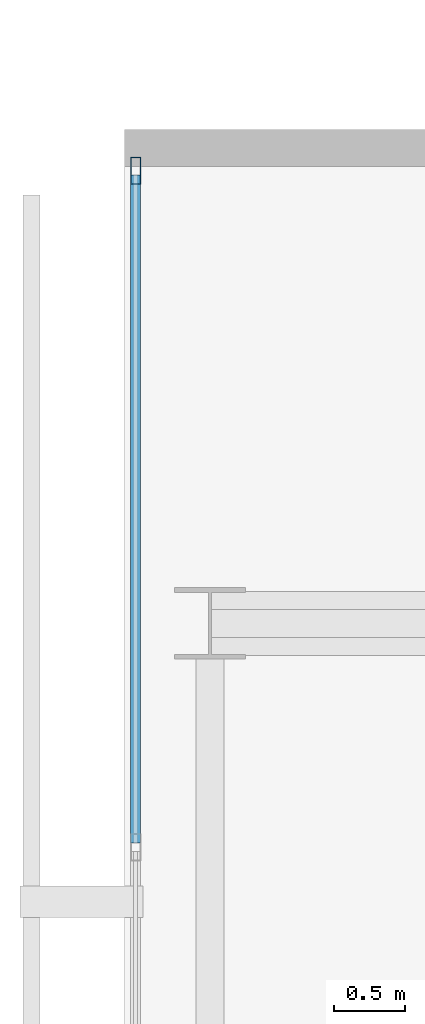
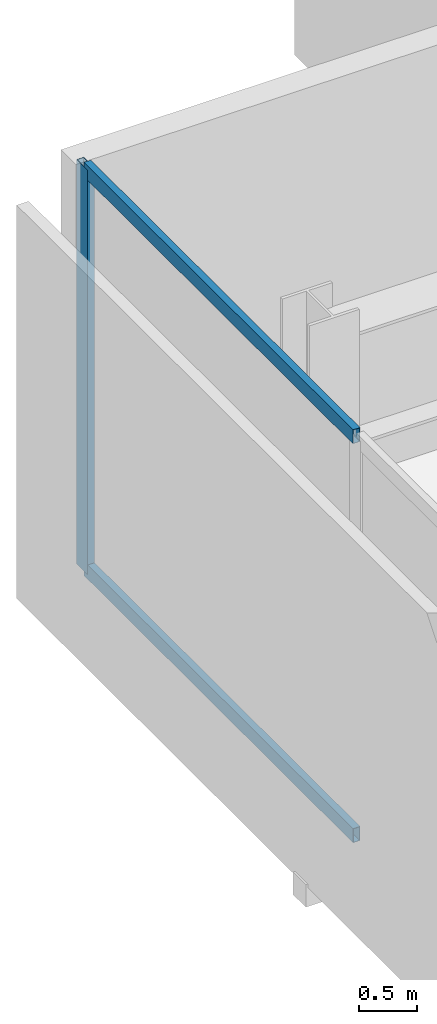
# One storey, part 14 of 23: 3 members, 1 element without a shape of its own.
"""IFC4 building model written with IfcOpenShell, lengths in metres."""

from ifc_helpers import new_model, si_unit, direction, frame, origin, origin_2d, place, context, subcontext, project, spatial, hollow_rectangle, extrude, material, layer, layer_set, material_profile, profile_set, type_object, element, aggregate, save


model = new_model("IFC4")

# Units and contexts
model_context = context("Model", 3, precision=1e-05, world=origin(), true_north=direction((0.0, 1.0)))
body_context = subcontext(model_context, "Body", "Model", "MODEL_VIEW")
ifc_project = project(units=[si_unit("LENGTHUNIT", "METRE"), si_unit("AREAUNIT", "SQUARE_METRE"), si_unit("VOLUMEUNIT", "CUBIC_METRE"), si_unit("PLANEANGLEUNIT", "RADIAN"), si_unit("MASSUNIT", "GRAM", prefix="KILO")], contexts=[model_context])

# Site, building, storey
site_placement = place(None, origin())
site = spatial("IfcSite", under=ifc_project, at=site_placement, CompositionType="ELEMENT")
building_placement = place(site_placement, origin())
building = spatial("IfcBuilding", under=site, at=building_placement, Name="Maruvema Waterfront Hotel and Observation Tower", CompositionType="ELEMENT")
storey_placement = place(building_placement, frame((0.0, 0.0, 349.64990234375)))
storey = spatial("IfcBuildingStorey", under=building, at=storey_placement, Name="L86", CompositionType="ELEMENT", Elevation=349.64990234375)

# Curtain wall, members
ifc_material_1 = material(Name="Anodised bronze aluminium and solar-control low-E IGU", Category="aluminium")
ifc_layer = layer(ifc_material_1, 0.159912109375, Name="Observation Crown Structural Glazed Curtain Wall System CW-06")
ifc_layer_set = layer_set([ifc_layer], Name="Anodised bronze aluminium and solar-control low-E IGU")
curtain_wall_type = type_object("IfcCurtainWallType", Name="Observation Crown Structural Glazed Curtain Wall System CW-06", PredefinedType="USERDEFINED", material=ifc_layer_set)
curtain_wall_placement = place(storey_placement, origin())
curtain_wall = element("IfcCurtainWall", 1, at=curtain_wall_placement, inside=storey, type_object=curtain_wall_type, Name="L86 Curtain Wall CW-L86-W", ObjectType="UNITISED CURTAIN WALL", PredefinedType="USERDEFINED")
ifc_material_2 = material(Name="Anodised architectural bronze aluminium", Category="aluminium")
ifc_material_profile_1 = material_profile(ifc_material_2, hollow_rectangle(XDim=0.070068359375, YDim=0.14990234375, WallThickness=0.00390625, at=origin_2d()), Name="ALU-T70x150")
ifc_profile_set_1 = profile_set([ifc_material_profile_1], Name="Anodised architectural bronze aluminium")
member_type_1 = type_object("IfcMemberType", Name="Curtain Wall Horizontal Transom ALU-T70x150", PredefinedType="USERDEFINED", material=ifc_profile_set_1)
member_1_placement = place(storey_placement, frame((17.780029296875, 48.139892578125, 0.030029296875), z_axis=(0.0, -1.0, 0.0), x_axis=(1.0, 0.0, 0.0)))
member_1 = element("IfcMember", 2, at=member_1_placement, type_object=member_type_1, Name="CW-06 transom 1.1", ObjectType="TRANSOM", PredefinedType="USERDEFINED", context=body_context, shape_type="SweptSolid", body=[
    extrude(hollow_rectangle(XDim=0.070068359375, YDim=0.14990234375, WallThickness=0.00390625, at=origin_2d()), origin(), (0.0, 0.0, 1.0), 4.676513671875),
])
member_2_placement = place(storey_placement, frame((17.780029296875, 48.139892578125, 4.260009765625), z_axis=(0.0, -1.0, 0.0), x_axis=(1.0, 0.0, 0.0)))
member_2 = element("IfcMember", 3, at=member_2_placement, type_object=member_type_1, Name="CW-06 transom 1.2", ObjectType="TRANSOM", PredefinedType="USERDEFINED", context=body_context, shape_type="SweptSolid", body=[
    extrude(hollow_rectangle(XDim=0.070068359375, YDim=0.14990234375, WallThickness=0.00390625, at=origin_2d()), origin(), (0.0, 0.0, 1.0), 4.676513671875),
])
ifc_material_3 = material(Name="Anodised architectural bronze aluminium", Category="aluminium")
ifc_material_profile_2 = material_profile(ifc_material_3, hollow_rectangle(XDim=0.070068359375, YDim=0.18994140625, WallThickness=0.00390625, at=origin_2d()), Name="ALU-M70x190")
ifc_profile_set_2 = profile_set([ifc_material_profile_2], Name="Anodised architectural bronze aluminium")
member_type_2 = type_object("IfcMemberType", Name="Podium Storefront Heavy Mullion ALU-M70x190", PredefinedType="MULLION", material=ifc_profile_set_2)
member_3_placement = place(storey_placement, frame((17.780029296875, 48.169921875, 0.0), z_axis=(0.0, 0.0, 1.0), x_axis=(1.0, 0.0, 0.0)))
member_3 = element("IfcMember", 4, at=member_3_placement, type_object=member_type_2, Name="CW-06 mullion 1", PredefinedType="MULLION", context=body_context, shape_type="SweptSolid", body=[
    extrude(hollow_rectangle(XDim=0.070068359375, YDim=0.18994140625, WallThickness=0.00390625, at=origin_2d()), origin(), (0.0, 0.0, 1.0), 4.2900390625),
])
aggregate(curtain_wall, [member_3, member_1, member_2])

save(model, "model.ifc")
